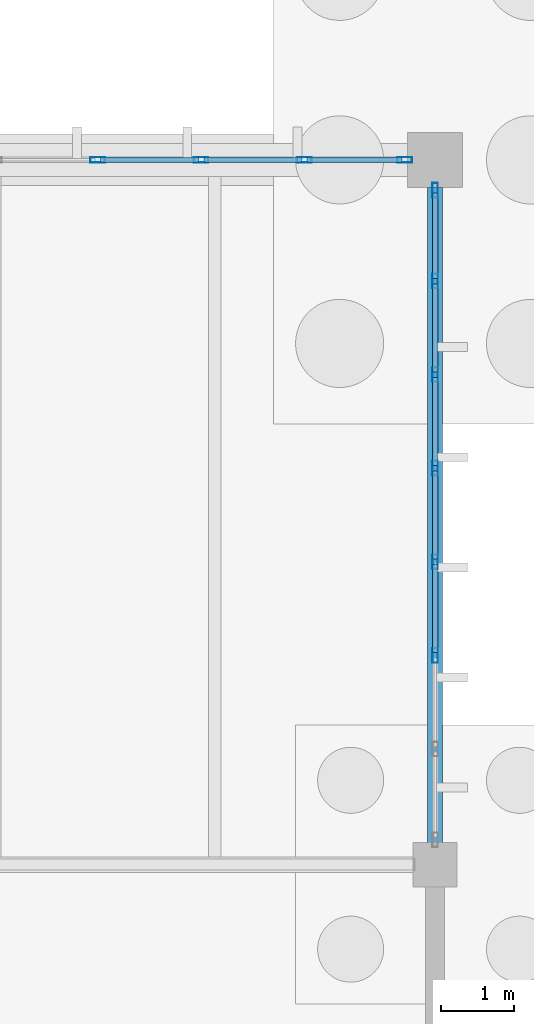
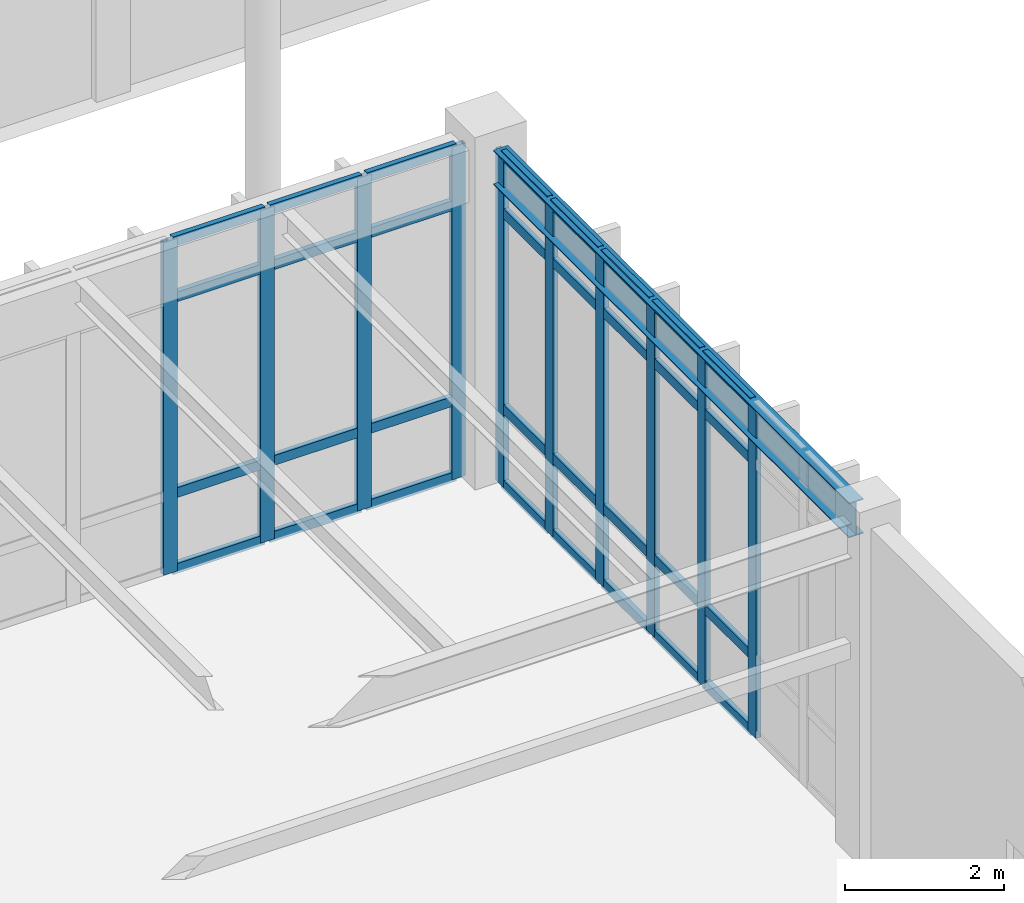
# One storey, part 114 of 188: 42 members, 1 beam, 2 elements without a shape of their own.
"""IFC4 building model written with IfcOpenShell, lengths in metres."""

from ifc_helpers import new_model, si_unit, direction, frame, origin, origin_2d, place, context, subcontext, project, spatial, hollow_rectangle, i_section, extrude, material, layer, layer_set, material_profile, profile_set, type_object, element, aggregate, save


model = new_model("IFC4")

# Units and contexts
model_context = context("Model", 3, precision=1e-05, world=origin(), true_north=direction((0.0, 1.0)))
body_context = subcontext(model_context, "Body", "Model", "MODEL_VIEW")
ifc_project = project(units=[si_unit("LENGTHUNIT", "METRE"), si_unit("AREAUNIT", "SQUARE_METRE"), si_unit("VOLUMEUNIT", "CUBIC_METRE"), si_unit("PLANEANGLEUNIT", "RADIAN"), si_unit("MASSUNIT", "GRAM", prefix="KILO")], contexts=[model_context])

# Site, building, storey
site_placement = place(None, origin())
site = spatial("IfcSite", under=ifc_project, at=site_placement, CompositionType="ELEMENT")
building_placement = place(site_placement, origin())
building = spatial("IfcBuilding", under=site, at=building_placement, Name="Pandanus Reach Market Hall", CompositionType="ELEMENT")
storey_placement = place(building_placement, origin())
storey = spatial("IfcBuildingStorey", under=building, at=storey_placement, Name="L00", CompositionType="ELEMENT", Elevation=0.0)

# Beam
ifc_material_1 = material(Name="Steel Grade 350 (350 MPa)", Category="steel")
ifc_material_profile_1 = material_profile(ifc_material_1, i_section(OverallWidth=0.208984375, OverallDepth=0.532958984375, WebThickness=0.01025390625, FlangeThickness=0.015625, at=origin_2d()), Name="530UB92.4", Category="LoadBearing")
ifc_profile_set_1 = profile_set([ifc_material_profile_1], Name="Steel Grade 350 (350 MPa)")
beam_type = type_object("IfcBeamType", Name="BM-UB530-I", PredefinedType="BEAM", material=ifc_profile_set_1)
beam_placement = place(storey_placement, frame((132.0, 77.097900390625, 4.85302734375), z_axis=(0.0, 1.0, 0.0), x_axis=(-1.0, 0.0, 0.0)))
element("IfcBeam", 1, at=beam_placement, inside=storey, type_object=beam_type, Name="Framing beam BM-UB530-I L00.1081", PredefinedType="BEAM", context=body_context, shape_type="SweptSolid", body=[
    extrude(i_section(OverallWidth=0.208984375, OverallDepth=0.532958984375, WebThickness=0.01025390625, FlangeThickness=0.015625, at=origin_2d()), origin(), (0.0, 0.0, 1.0), 8.92919921875),
])

# Curtain wall, members
ifc_material_2 = material(Name="Bronze anodised aluminium and low-E glass", Category="aluminium")
ifc_layer_1 = layer(ifc_material_2, 0.199951171875, Name="CW-01")
ifc_layer_set_1 = layer_set([ifc_layer_1], Name="Bronze anodised aluminium and low-E glass")
curtain_wall_type_1 = type_object("IfcCurtainWallType", Name="CW-01", PredefinedType="NOTDEFINED", material=ifc_layer_set_1)
curtain_wall_1_placement = place(storey_placement, origin())
curtain_wall_1 = element("IfcCurtainWall", 2, at=curtain_wall_1_placement, inside=storey, type_object=curtain_wall_type_1, Name="Glazed curtain wall CW-01 CW-0017", PredefinedType="NOTDEFINED")
ifc_material_3 = material(Name="Bronze anodised aluminium", Category="aluminium")
ifc_material_profile_2 = material_profile(ifc_material_3, hollow_rectangle(XDim=0.074951171875, YDim=0.199951171875, WallThickness=0.00439453125, at=origin_2d()), Name="ALU75x200", Category="LoadBearing")
ifc_profile_set_2 = profile_set([ifc_material_profile_2], Name="Bronze anodised aluminium")
member_type_1 = type_object("IfcMemberType", Name="CW-M2", PredefinedType="MULLION", material=ifc_profile_set_2)
member_1_placement = place(storey_placement, frame((127.40625, 86.39990234375, 0.0), z_axis=(0.0, 0.0, 1.0), x_axis=(0.0, 1.0, 0.0)))
member_1 = element("IfcMember", 3, at=member_1_placement, type_object=member_type_1, Name="CW-01 mullion 6", PredefinedType="MULLION", context=body_context, shape_type="SweptSolid", body=[
    extrude(hollow_rectangle(XDim=0.074951171875, YDim=0.199951171875, WallThickness=0.00439453125, at=origin_2d()), origin(), (0.0, 0.0, 1.0), 5.10009765625),
])
member_2_placement = place(storey_placement, frame((128.8125, 86.39990234375, 0.0), z_axis=(0.0, 0.0, 1.0), x_axis=(0.0, 1.0, 0.0)))
member_2 = element("IfcMember", 4, at=member_2_placement, type_object=member_type_1, Name="CW-01 mullion 7", PredefinedType="MULLION", context=body_context, shape_type="SweptSolid", body=[
    extrude(hollow_rectangle(XDim=0.074951171875, YDim=0.199951171875, WallThickness=0.00439453125, at=origin_2d()), origin(), (0.0, 0.0, 1.0), 5.10009765625),
])
member_3_placement = place(storey_placement, frame((130.21875, 86.39990234375, 0.0), z_axis=(0.0, 0.0, 1.0), x_axis=(0.0, 1.0, 0.0)))
member_3 = element("IfcMember", 5, at=member_3_placement, type_object=member_type_1, Name="CW-01 mullion 8", PredefinedType="MULLION", context=body_context, shape_type="SweptSolid", body=[
    extrude(hollow_rectangle(XDim=0.074951171875, YDim=0.199951171875, WallThickness=0.00439453125, at=origin_2d()), origin(), (0.0, 0.0, 1.0), 5.10009765625),
])
member_4_placement = place(storey_placement, frame((131.58740234375, 86.39990234375, 0.0), z_axis=(0.0, 0.0, 1.0), x_axis=(0.0, 1.0, 0.0)))
member_4 = element("IfcMember", 6, at=member_4_placement, type_object=member_type_1, Name="CW-01 mullion 9", PredefinedType="MULLION", context=body_context, shape_type="SweptSolid", body=[
    extrude(hollow_rectangle(XDim=0.074951171875, YDim=0.199951171875, WallThickness=0.00439453125, at=origin_2d()), origin(), (0.0, 0.0, 1.0), 5.10009765625),
])

ifc_layer_2 = layer(ifc_material_2, 0.199951171875, Name="CW-03")
ifc_layer_set_2 = layer_set([ifc_layer_2], Name="Bronze anodised aluminium and low-E glass")
curtain_wall_type_2 = type_object("IfcCurtainWallType", Name="CW-03", PredefinedType="NOTDEFINED", material=ifc_layer_set_2)
curtain_wall_2_placement = place(storey_placement, origin())
curtain_wall_2 = element("IfcCurtainWall", 7, at=curtain_wall_2_placement, inside=storey, type_object=curtain_wall_type_2, Name="Glazed curtain wall CW-03 CW-0036", PredefinedType="NOTDEFINED")
member_5_placement = place(storey_placement, frame((132.0, 79.64990234375, 0.0), z_axis=(0.0, 0.0, 1.0), x_axis=(-1.0, 0.0, 0.0)))
member_5 = element("IfcMember", 8, at=member_5_placement, type_object=member_type_1, Name="CW-03 mullion 3", PredefinedType="MULLION", context=body_context, shape_type="SweptSolid", body=[
    extrude(hollow_rectangle(XDim=0.074951171875, YDim=0.199951171875, WallThickness=0.00439453125, at=origin_2d()), origin(), (0.0, 0.0, 1.0), 5.10009765625),
])
member_6_placement = place(storey_placement, frame((132.0, 80.925048828125, 0.0), z_axis=(0.0, 0.0, 1.0), x_axis=(-1.0, 0.0, 0.0)))
member_6 = element("IfcMember", 9, at=member_6_placement, type_object=member_type_1, Name="CW-03 mullion 4", PredefinedType="MULLION", context=body_context, shape_type="SweptSolid", body=[
    extrude(hollow_rectangle(XDim=0.074951171875, YDim=0.199951171875, WallThickness=0.00439453125, at=origin_2d()), origin(), (0.0, 0.0, 1.0), 5.10009765625),
])
member_7_placement = place(storey_placement, frame((132.0, 82.199951171875, 0.0), z_axis=(0.0, 0.0, 1.0), x_axis=(-1.0, 0.0, 0.0)))
member_7 = element("IfcMember", 10, at=member_7_placement, type_object=member_type_1, Name="CW-03 mullion 5", PredefinedType="MULLION", context=body_context, shape_type="SweptSolid", body=[
    extrude(hollow_rectangle(XDim=0.074951171875, YDim=0.199951171875, WallThickness=0.00439453125, at=origin_2d()), origin(), (0.0, 0.0, 1.0), 5.10009765625),
])
member_8_placement = place(storey_placement, frame((132.0, 83.47509765625, 0.0), z_axis=(0.0, 0.0, 1.0), x_axis=(-1.0, 0.0, 0.0)))
member_8 = element("IfcMember", 11, at=member_8_placement, type_object=member_type_1, Name="CW-03 mullion 6", PredefinedType="MULLION", context=body_context, shape_type="SweptSolid", body=[
    extrude(hollow_rectangle(XDim=0.074951171875, YDim=0.199951171875, WallThickness=0.00439453125, at=origin_2d()), origin(), (0.0, 0.0, 1.0), 5.10009765625),
])
member_9_placement = place(storey_placement, frame((132.0, 84.75, 0.0), z_axis=(0.0, 0.0, 1.0), x_axis=(-1.0, 0.0, 0.0)))
member_9 = element("IfcMember", 12, at=member_9_placement, type_object=member_type_1, Name="CW-03 mullion 7", PredefinedType="MULLION", context=body_context, shape_type="SweptSolid", body=[
    extrude(hollow_rectangle(XDim=0.074951171875, YDim=0.199951171875, WallThickness=0.00439453125, at=origin_2d()), origin(), (0.0, 0.0, 1.0), 5.10009765625),
])
member_10_placement = place(storey_placement, frame((132.0, 85.987548828125, 0.0), z_axis=(0.0, 0.0, 1.0), x_axis=(-1.0, 0.0, 0.0)))
member_10 = element("IfcMember", 13, at=member_10_placement, type_object=member_type_1, Name="CW-03 mullion 8", PredefinedType="MULLION", context=body_context, shape_type="SweptSolid", body=[
    extrude(hollow_rectangle(XDim=0.074951171875, YDim=0.199951171875, WallThickness=0.00439453125, at=origin_2d()), origin(), (0.0, 0.0, 1.0), 5.10009765625),
])

# Member
ifc_material_profile_3 = material_profile(ifc_material_3, hollow_rectangle(XDim=0.074951171875, YDim=0.14990234375, WallThickness=0.00439453125, at=origin_2d()), Name="ALU75x150", Category="LoadBearing")
ifc_profile_set_3 = profile_set([ifc_material_profile_3], Name="Bronze anodised aluminium")
member_type_2 = type_object("IfcMemberType", Name="CW-T2", PredefinedType="USERDEFINED", material=ifc_profile_set_3)
member_11_placement = place(storey_placement, frame((127.44384765625, 86.39990234375, 0.03759765625), z_axis=(1.0, 0.0, 0.0), x_axis=(0.0, 1.0, 0.0)))
member_11 = element("IfcMember", 14, at=member_11_placement, type_object=member_type_2, Name="CW-01 transom 6.1", ObjectType="TRANSOM", PredefinedType="USERDEFINED", context=body_context, shape_type="SweptSolid", body=[
    extrude(hollow_rectangle(XDim=0.074951171875, YDim=0.14990234375, WallThickness=0.00439453125, at=origin_2d()), origin(), (0.0, 0.0, 1.0), 1.3310546875),
])

member_12_placement = place(storey_placement, frame((127.44384765625, 86.39990234375, 1.199951171875), z_axis=(1.0, 0.0, 0.0), x_axis=(0.0, 1.0, 0.0)))
member_12 = element("IfcMember", 15, at=member_12_placement, type_object=member_type_2, Name="CW-01 transom 6.2", ObjectType="TRANSOM", PredefinedType="USERDEFINED", context=body_context, shape_type="SweptSolid", body=[
    extrude(hollow_rectangle(XDim=0.074951171875, YDim=0.14990234375, WallThickness=0.00439453125, at=origin_2d()), origin(), (0.0, 0.0, 1.0), 1.3310546875),
])

member_13_placement = place(storey_placement, frame((127.44384765625, 86.39990234375, 4.199951171875), z_axis=(1.0, 0.0, 0.0), x_axis=(0.0, 1.0, 0.0)))
member_13 = element("IfcMember", 16, at=member_13_placement, type_object=member_type_2, Name="CW-01 transom 6.3", ObjectType="TRANSOM", PredefinedType="USERDEFINED", context=body_context, shape_type="SweptSolid", body=[
    extrude(hollow_rectangle(XDim=0.074951171875, YDim=0.14990234375, WallThickness=0.00439453125, at=origin_2d()), origin(), (0.0, 0.0, 1.0), 1.3310546875),
])

member_14_placement = place(storey_placement, frame((127.44384765625, 86.39990234375, 5.0625), z_axis=(1.0, 0.0, 0.0), x_axis=(0.0, 1.0, 0.0)))
member_14 = element("IfcMember", 17, at=member_14_placement, type_object=member_type_2, Name="CW-01 transom 6.4", ObjectType="TRANSOM", PredefinedType="USERDEFINED", context=body_context, shape_type="SweptSolid", body=[
    extrude(hollow_rectangle(XDim=0.074951171875, YDim=0.14990234375, WallThickness=0.00439453125, at=origin_2d()), origin(), (0.0, 0.0, 1.0), 1.3310546875),
])

member_15_placement = place(storey_placement, frame((128.85009765625, 86.39990234375, 0.03759765625), z_axis=(1.0, 0.0, 0.0), x_axis=(0.0, 1.0, 0.0)))
member_15 = element("IfcMember", 18, at=member_15_placement, type_object=member_type_2, Name="CW-01 transom 7.1", ObjectType="TRANSOM", PredefinedType="USERDEFINED", context=body_context, shape_type="SweptSolid", body=[
    extrude(hollow_rectangle(XDim=0.074951171875, YDim=0.14990234375, WallThickness=0.00439453125, at=origin_2d()), origin(), (0.0, 0.0, 1.0), 1.3310546875),
])

member_16_placement = place(storey_placement, frame((128.85009765625, 86.39990234375, 1.199951171875), z_axis=(1.0, 0.0, 0.0), x_axis=(0.0, 1.0, 0.0)))
member_16 = element("IfcMember", 19, at=member_16_placement, type_object=member_type_2, Name="CW-01 transom 7.2", ObjectType="TRANSOM", PredefinedType="USERDEFINED", context=body_context, shape_type="SweptSolid", body=[
    extrude(hollow_rectangle(XDim=0.074951171875, YDim=0.14990234375, WallThickness=0.00439453125, at=origin_2d()), origin(), (0.0, 0.0, 1.0), 1.3310546875),
])

member_17_placement = place(storey_placement, frame((128.85009765625, 86.39990234375, 4.199951171875), z_axis=(1.0, 0.0, 0.0), x_axis=(0.0, 1.0, 0.0)))
member_17 = element("IfcMember", 20, at=member_17_placement, type_object=member_type_2, Name="CW-01 transom 7.3", ObjectType="TRANSOM", PredefinedType="USERDEFINED", context=body_context, shape_type="SweptSolid", body=[
    extrude(hollow_rectangle(XDim=0.074951171875, YDim=0.14990234375, WallThickness=0.00439453125, at=origin_2d()), origin(), (0.0, 0.0, 1.0), 1.3310546875),
])

member_18_placement = place(storey_placement, frame((128.85009765625, 86.39990234375, 5.0625), z_axis=(1.0, 0.0, 0.0), x_axis=(0.0, 1.0, 0.0)))
member_18 = element("IfcMember", 21, at=member_18_placement, type_object=member_type_2, Name="CW-01 transom 7.4", ObjectType="TRANSOM", PredefinedType="USERDEFINED", context=body_context, shape_type="SweptSolid", body=[
    extrude(hollow_rectangle(XDim=0.074951171875, YDim=0.14990234375, WallThickness=0.00439453125, at=origin_2d()), origin(), (0.0, 0.0, 1.0), 1.3310546875),
])

member_19_placement = place(storey_placement, frame((130.25634765625, 86.39990234375, 0.03759765625), z_axis=(1.0, 0.0, 0.0), x_axis=(0.0, 1.0, 0.0)))
member_19 = element("IfcMember", 22, at=member_19_placement, type_object=member_type_2, Name="CW-01 transom 8.1", ObjectType="TRANSOM", PredefinedType="USERDEFINED", context=body_context, shape_type="SweptSolid", body=[
    extrude(hollow_rectangle(XDim=0.074951171875, YDim=0.14990234375, WallThickness=0.00439453125, at=origin_2d()), origin(), (0.0, 0.0, 1.0), 1.293701171875),
])

member_20_placement = place(storey_placement, frame((130.25634765625, 86.39990234375, 1.199951171875), z_axis=(1.0, 0.0, 0.0), x_axis=(0.0, 1.0, 0.0)))
member_20 = element("IfcMember", 23, at=member_20_placement, type_object=member_type_2, Name="CW-01 transom 8.2", ObjectType="TRANSOM", PredefinedType="USERDEFINED", context=body_context, shape_type="SweptSolid", body=[
    extrude(hollow_rectangle(XDim=0.074951171875, YDim=0.14990234375, WallThickness=0.00439453125, at=origin_2d()), origin(), (0.0, 0.0, 1.0), 1.293701171875),
])

member_21_placement = place(storey_placement, frame((130.25634765625, 86.39990234375, 4.199951171875), z_axis=(1.0, 0.0, 0.0), x_axis=(0.0, 1.0, 0.0)))
member_21 = element("IfcMember", 24, at=member_21_placement, type_object=member_type_2, Name="CW-01 transom 8.3", ObjectType="TRANSOM", PredefinedType="USERDEFINED", context=body_context, shape_type="SweptSolid", body=[
    extrude(hollow_rectangle(XDim=0.074951171875, YDim=0.14990234375, WallThickness=0.00439453125, at=origin_2d()), origin(), (0.0, 0.0, 1.0), 1.293701171875),
])

member_22_placement = place(storey_placement, frame((130.25634765625, 86.39990234375, 5.0625), z_axis=(1.0, 0.0, 0.0), x_axis=(0.0, 1.0, 0.0)))
member_22 = element("IfcMember", 25, at=member_22_placement, type_object=member_type_2, Name="CW-01 transom 8.4", ObjectType="TRANSOM", PredefinedType="USERDEFINED", context=body_context, shape_type="SweptSolid", body=[
    extrude(hollow_rectangle(XDim=0.074951171875, YDim=0.14990234375, WallThickness=0.00439453125, at=origin_2d()), origin(), (0.0, 0.0, 1.0), 1.293701171875),
])

aggregate(curtain_wall_1, [member_1, member_2, member_3, member_4, member_11, member_12, member_13, member_14, member_15, member_16, member_17, member_18, member_19, member_20, member_21, member_22])

member_23_placement = place(storey_placement, frame((132.0, 79.6875, 0.03759765625), z_axis=(0.0, 1.0, 0.0), x_axis=(-1.0, 0.0, 0.0)))
member_23 = element("IfcMember", 26, at=member_23_placement, type_object=member_type_2, Name="CW-03 transom 3.1", ObjectType="TRANSOM", PredefinedType="USERDEFINED", context=body_context, shape_type="SweptSolid", body=[
    extrude(hollow_rectangle(XDim=0.074951171875, YDim=0.14990234375, WallThickness=0.00439453125, at=origin_2d()), origin(), (0.0, 0.0, 1.0), 1.199951171875),
])

member_24_placement = place(storey_placement, frame((132.0, 79.6875, 1.199951171875), z_axis=(0.0, 1.0, 0.0), x_axis=(-1.0, 0.0, 0.0)))
member_24 = element("IfcMember", 27, at=member_24_placement, type_object=member_type_2, Name="CW-03 transom 3.2", ObjectType="TRANSOM", PredefinedType="USERDEFINED", context=body_context, shape_type="SweptSolid", body=[
    extrude(hollow_rectangle(XDim=0.074951171875, YDim=0.14990234375, WallThickness=0.00439453125, at=origin_2d()), origin(), (0.0, 0.0, 1.0), 1.199951171875),
])

member_25_placement = place(storey_placement, frame((132.0, 79.6875, 4.199951171875), z_axis=(0.0, 1.0, 0.0), x_axis=(-1.0, 0.0, 0.0)))
member_25 = element("IfcMember", 28, at=member_25_placement, type_object=member_type_2, Name="CW-03 transom 3.3", ObjectType="TRANSOM", PredefinedType="USERDEFINED", context=body_context, shape_type="SweptSolid", body=[
    extrude(hollow_rectangle(XDim=0.074951171875, YDim=0.14990234375, WallThickness=0.00439453125, at=origin_2d()), origin(), (0.0, 0.0, 1.0), 1.199951171875),
])

member_26_placement = place(storey_placement, frame((132.0, 79.6875, 5.0625), z_axis=(0.0, 1.0, 0.0), x_axis=(-1.0, 0.0, 0.0)))
member_26 = element("IfcMember", 29, at=member_26_placement, type_object=member_type_2, Name="CW-03 transom 3.4", ObjectType="TRANSOM", PredefinedType="USERDEFINED", context=body_context, shape_type="SweptSolid", body=[
    extrude(hollow_rectangle(XDim=0.074951171875, YDim=0.14990234375, WallThickness=0.00439453125, at=origin_2d()), origin(), (0.0, 0.0, 1.0), 1.199951171875),
])

member_27_placement = place(storey_placement, frame((132.0, 80.96240234375, 0.03759765625), z_axis=(0.0, 1.0, 0.0), x_axis=(-1.0, 0.0, 0.0)))
member_27 = element("IfcMember", 30, at=member_27_placement, type_object=member_type_2, Name="CW-03 transom 4.1", ObjectType="TRANSOM", PredefinedType="USERDEFINED", context=body_context, shape_type="SweptSolid", body=[
    extrude(hollow_rectangle(XDim=0.074951171875, YDim=0.14990234375, WallThickness=0.00439453125, at=origin_2d()), origin(), (0.0, 0.0, 1.0), 1.2001953125),
])

member_28_placement = place(storey_placement, frame((132.0, 80.96240234375, 1.199951171875), z_axis=(0.0, 1.0, 0.0), x_axis=(-1.0, 0.0, 0.0)))
member_28 = element("IfcMember", 31, at=member_28_placement, type_object=member_type_2, Name="CW-03 transom 4.2", ObjectType="TRANSOM", PredefinedType="USERDEFINED", context=body_context, shape_type="SweptSolid", body=[
    extrude(hollow_rectangle(XDim=0.074951171875, YDim=0.14990234375, WallThickness=0.00439453125, at=origin_2d()), origin(), (0.0, 0.0, 1.0), 1.2001953125),
])

member_29_placement = place(storey_placement, frame((132.0, 80.96240234375, 4.199951171875), z_axis=(0.0, 1.0, 0.0), x_axis=(-1.0, 0.0, 0.0)))
member_29 = element("IfcMember", 32, at=member_29_placement, type_object=member_type_2, Name="CW-03 transom 4.3", ObjectType="TRANSOM", PredefinedType="USERDEFINED", context=body_context, shape_type="SweptSolid", body=[
    extrude(hollow_rectangle(XDim=0.074951171875, YDim=0.14990234375, WallThickness=0.00439453125, at=origin_2d()), origin(), (0.0, 0.0, 1.0), 1.2001953125),
])

member_30_placement = place(storey_placement, frame((132.0, 80.96240234375, 5.0625), z_axis=(0.0, 1.0, 0.0), x_axis=(-1.0, 0.0, 0.0)))
member_30 = element("IfcMember", 33, at=member_30_placement, type_object=member_type_2, Name="CW-03 transom 4.4", ObjectType="TRANSOM", PredefinedType="USERDEFINED", context=body_context, shape_type="SweptSolid", body=[
    extrude(hollow_rectangle(XDim=0.074951171875, YDim=0.14990234375, WallThickness=0.00439453125, at=origin_2d()), origin(), (0.0, 0.0, 1.0), 1.2001953125),
])

member_31_placement = place(storey_placement, frame((132.0, 82.237548828125, 0.03759765625), z_axis=(0.0, 1.0, 0.0), x_axis=(-1.0, 0.0, 0.0)))
member_31 = element("IfcMember", 34, at=member_31_placement, type_object=member_type_2, Name="CW-03 transom 5.1", ObjectType="TRANSOM", PredefinedType="USERDEFINED", context=body_context, shape_type="SweptSolid", body=[
    extrude(hollow_rectangle(XDim=0.074951171875, YDim=0.14990234375, WallThickness=0.00439453125, at=origin_2d()), origin(), (0.0, 0.0, 1.0), 1.199951171875),
])

member_32_placement = place(storey_placement, frame((132.0, 82.237548828125, 1.199951171875), z_axis=(0.0, 1.0, 0.0), x_axis=(-1.0, 0.0, 0.0)))
member_32 = element("IfcMember", 35, at=member_32_placement, type_object=member_type_2, Name="CW-03 transom 5.2", ObjectType="TRANSOM", PredefinedType="USERDEFINED", context=body_context, shape_type="SweptSolid", body=[
    extrude(hollow_rectangle(XDim=0.074951171875, YDim=0.14990234375, WallThickness=0.00439453125, at=origin_2d()), origin(), (0.0, 0.0, 1.0), 1.199951171875),
])

member_33_placement = place(storey_placement, frame((132.0, 82.237548828125, 4.199951171875), z_axis=(0.0, 1.0, 0.0), x_axis=(-1.0, 0.0, 0.0)))
member_33 = element("IfcMember", 36, at=member_33_placement, type_object=member_type_2, Name="CW-03 transom 5.3", ObjectType="TRANSOM", PredefinedType="USERDEFINED", context=body_context, shape_type="SweptSolid", body=[
    extrude(hollow_rectangle(XDim=0.074951171875, YDim=0.14990234375, WallThickness=0.00439453125, at=origin_2d()), origin(), (0.0, 0.0, 1.0), 1.199951171875),
])

member_34_placement = place(storey_placement, frame((132.0, 82.237548828125, 5.0625), z_axis=(0.0, 1.0, 0.0), x_axis=(-1.0, 0.0, 0.0)))
member_34 = element("IfcMember", 37, at=member_34_placement, type_object=member_type_2, Name="CW-03 transom 5.4", ObjectType="TRANSOM", PredefinedType="USERDEFINED", context=body_context, shape_type="SweptSolid", body=[
    extrude(hollow_rectangle(XDim=0.074951171875, YDim=0.14990234375, WallThickness=0.00439453125, at=origin_2d()), origin(), (0.0, 0.0, 1.0), 1.199951171875),
])

member_35_placement = place(storey_placement, frame((132.0, 83.512451171875, 0.03759765625), z_axis=(0.0, 1.0, 0.0), x_axis=(-1.0, 0.0, 0.0)))
member_35 = element("IfcMember", 38, at=member_35_placement, type_object=member_type_2, Name="CW-03 transom 6.1", ObjectType="TRANSOM", PredefinedType="USERDEFINED", context=body_context, shape_type="SweptSolid", body=[
    extrude(hollow_rectangle(XDim=0.074951171875, YDim=0.14990234375, WallThickness=0.00439453125, at=origin_2d()), origin(), (0.0, 0.0, 1.0), 1.199951171875),
])

member_36_placement = place(storey_placement, frame((132.0, 83.512451171875, 1.199951171875), z_axis=(0.0, 1.0, 0.0), x_axis=(-1.0, 0.0, 0.0)))
member_36 = element("IfcMember", 39, at=member_36_placement, type_object=member_type_2, Name="CW-03 transom 6.2", ObjectType="TRANSOM", PredefinedType="USERDEFINED", context=body_context, shape_type="SweptSolid", body=[
    extrude(hollow_rectangle(XDim=0.074951171875, YDim=0.14990234375, WallThickness=0.00439453125, at=origin_2d()), origin(), (0.0, 0.0, 1.0), 1.199951171875),
])

member_37_placement = place(storey_placement, frame((132.0, 83.512451171875, 4.199951171875), z_axis=(0.0, 1.0, 0.0), x_axis=(-1.0, 0.0, 0.0)))
member_37 = element("IfcMember", 40, at=member_37_placement, type_object=member_type_2, Name="CW-03 transom 6.3", ObjectType="TRANSOM", PredefinedType="USERDEFINED", context=body_context, shape_type="SweptSolid", body=[
    extrude(hollow_rectangle(XDim=0.074951171875, YDim=0.14990234375, WallThickness=0.00439453125, at=origin_2d()), origin(), (0.0, 0.0, 1.0), 1.199951171875),
])

member_38_placement = place(storey_placement, frame((132.0, 83.512451171875, 5.0625), z_axis=(0.0, 1.0, 0.0), x_axis=(-1.0, 0.0, 0.0)))
member_38 = element("IfcMember", 41, at=member_38_placement, type_object=member_type_2, Name="CW-03 transom 6.4", ObjectType="TRANSOM", PredefinedType="USERDEFINED", context=body_context, shape_type="SweptSolid", body=[
    extrude(hollow_rectangle(XDim=0.074951171875, YDim=0.14990234375, WallThickness=0.00439453125, at=origin_2d()), origin(), (0.0, 0.0, 1.0), 1.199951171875),
])

member_39_placement = place(storey_placement, frame((132.0, 84.78759765625, 0.03759765625), z_axis=(0.0, 1.0, 0.0), x_axis=(-1.0, 0.0, 0.0)))
member_39 = element("IfcMember", 42, at=member_39_placement, type_object=member_type_2, Name="CW-03 transom 7.1", ObjectType="TRANSOM", PredefinedType="USERDEFINED", context=body_context, shape_type="SweptSolid", body=[
    extrude(hollow_rectangle(XDim=0.074951171875, YDim=0.14990234375, WallThickness=0.00439453125, at=origin_2d()), origin(), (0.0, 0.0, 1.0), 1.162353515625),
])

member_40_placement = place(storey_placement, frame((132.0, 84.78759765625, 1.199951171875), z_axis=(0.0, 1.0, 0.0), x_axis=(-1.0, 0.0, 0.0)))
member_40 = element("IfcMember", 43, at=member_40_placement, type_object=member_type_2, Name="CW-03 transom 7.2", ObjectType="TRANSOM", PredefinedType="USERDEFINED", context=body_context, shape_type="SweptSolid", body=[
    extrude(hollow_rectangle(XDim=0.074951171875, YDim=0.14990234375, WallThickness=0.00439453125, at=origin_2d()), origin(), (0.0, 0.0, 1.0), 1.162353515625),
])

member_41_placement = place(storey_placement, frame((132.0, 84.78759765625, 4.199951171875), z_axis=(0.0, 1.0, 0.0), x_axis=(-1.0, 0.0, 0.0)))
member_41 = element("IfcMember", 44, at=member_41_placement, type_object=member_type_2, Name="CW-03 transom 7.3", ObjectType="TRANSOM", PredefinedType="USERDEFINED", context=body_context, shape_type="SweptSolid", body=[
    extrude(hollow_rectangle(XDim=0.074951171875, YDim=0.14990234375, WallThickness=0.00439453125, at=origin_2d()), origin(), (0.0, 0.0, 1.0), 1.162353515625),
])

member_42_placement = place(storey_placement, frame((132.0, 84.78759765625, 5.0625), z_axis=(0.0, 1.0, 0.0), x_axis=(-1.0, 0.0, 0.0)))
member_42 = element("IfcMember", 45, at=member_42_placement, type_object=member_type_2, Name="CW-03 transom 7.4", ObjectType="TRANSOM", PredefinedType="USERDEFINED", context=body_context, shape_type="SweptSolid", body=[
    extrude(hollow_rectangle(XDim=0.074951171875, YDim=0.14990234375, WallThickness=0.00439453125, at=origin_2d()), origin(), (0.0, 0.0, 1.0), 1.162353515625),
])

aggregate(curtain_wall_2, [member_5, member_6, member_7, member_8, member_9, member_10, member_23, member_24, member_25, member_26, member_27, member_28, member_29, member_30, member_31, member_32, member_33, member_34, member_35, member_36, member_37, member_38, member_39, member_40, member_41, member_42])

save(model, "model.ifc")
